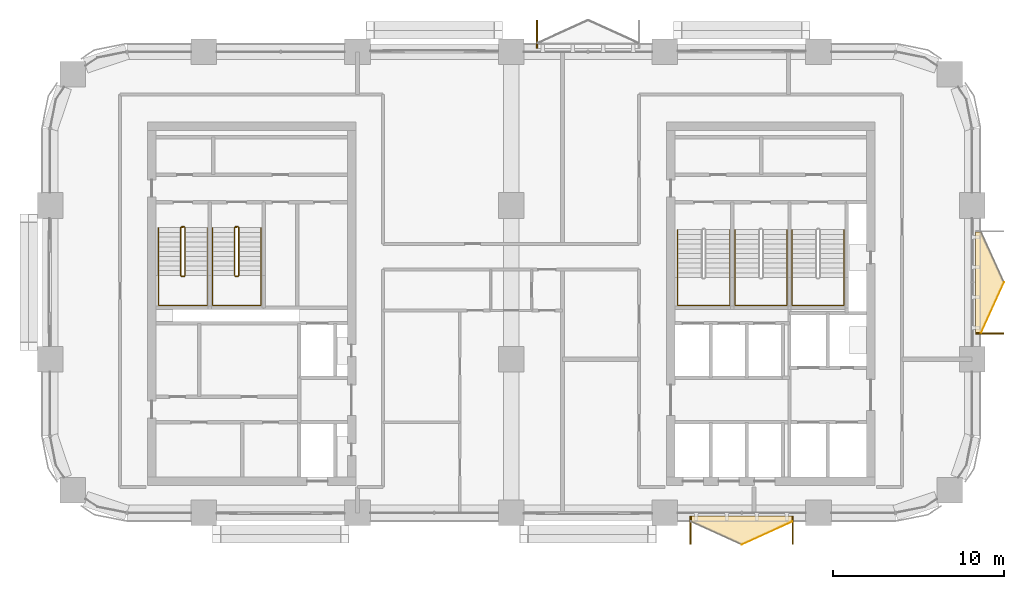
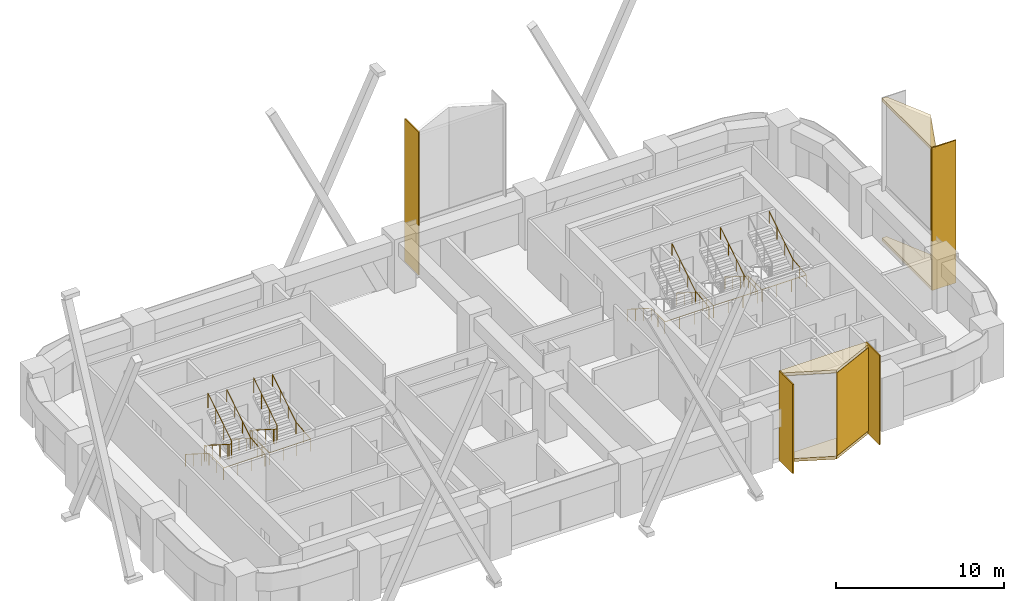
# One storey, part 13 of 14: 10 coverings, 7 railings.
"""IFC4 building model written with IfcOpenShell, lengths in metres."""

from ifc_helpers import new_model, si_unit, direction, frame, origin, origin_2d, place, context, subcontext, project, spatial, polyline, rectangle, circle, outline, extrude, material, layer, layer_set, type_object, element, save


model = new_model("IFC4")

# Units and contexts
model_context = context("Model", 3, precision=1e-05, world=origin(), true_north=direction((0.0, 1.0)))
body_context = subcontext(model_context, "Body", "Model", "MODEL_VIEW")
ifc_project = project(units=[si_unit("LENGTHUNIT", "METRE"), si_unit("AREAUNIT", "SQUARE_METRE"), si_unit("VOLUMEUNIT", "CUBIC_METRE"), si_unit("PLANEANGLEUNIT", "RADIAN"), si_unit("MASSUNIT", "GRAM", prefix="KILO")], contexts=[model_context])

# Site, building, storey
site_placement = place(None, origin())
site = spatial("IfcSite", under=ifc_project, at=site_placement, CompositionType="ELEMENT")
building_placement = place(site_placement, origin())
building = spatial("IfcBuilding", under=site, at=building_placement, Name="Tessera Arch", CompositionType="ELEMENT")
storey_placement = place(building_placement, frame((0.0, 0.0, 150.5)))
storey = spatial("IfcBuildingStorey", under=building, at=storey_placement, Name="L35", CompositionType="ELEMENT", Elevation=150.5)

# Railings
ifc_material_1 = material(Name="Painted steel balustrade", Category="steel")
railing_type_1 = type_object("IfcRailingType", Name="Stair guard 1100", PredefinedType="GUARDRAIL", material=ifc_material_1)
railing_1_placement = place(storey_placement, frame((7.699951171875, 43.75, 0.0)))
element("IfcRailing", 1, at=railing_1_placement, inside=storey, type_object=railing_type_1, Name="L35 S2a stair guard 1", PredefinedType="GUARDRAIL", context=body_context, shape_type="SweptSolid", body=[
    extrude(circle(Radius=0.02392578125, at=origin_2d()), frame((-0.00390625, 0.0, 1.076171875), z_axis=(1.0, 0.0, 0.0), x_axis=(0.0, 1.0, 0.0)), (0.0, 0.0, 1.0), 0.158203125),
    extrude(circle(Radius=0.02392578125, at=origin_2d()), frame((0.153076171875, 0.000732421875, 1.073486328125), z_axis=(-0.735936453418, -0.183984113355, 0.651573006319), x_axis=(0.242535625036, -0.970142500145, 0.0)), (0.0, 0.0, 1.0), 0.280029296875),
    extrude(circle(Radius=0.02392578125, at=origin_2d()), frame((-0.050048828125, -0.046630859375, 1.251220703125), z_axis=(0.0, -0.844908973607, 0.534910110503), x_axis=(1.0, 0.0, 0.0)), (0.0, 0.0, 1.0), 3.322021484375),
    extrude(circle(Radius=0.02392578125, at=origin_2d()), frame((-0.052978515625, -2.84716796875, 3.02587890625), z_axis=(0.708833529934, -0.705375805398, 0.0), x_axis=(0.705375805398, 0.708833529934, 0.0)), (0.0, 0.0, 1.0), 0.07861328125),
    extrude(circle(Radius=0.02392578125, at=origin_2d()), frame((-0.00390625, -2.89990234375, 3.02587890625), z_axis=(1.0, 0.0, 0.0), x_axis=(0.0, 1.0, 0.0)), (0.0, 0.0, 1.0), 0.158203125),
    extrude(circle(Radius=0.02392578125, at=origin_2d()), frame((0.149169921875, -2.90087890625, 3.022216796875), z_axis=(0.261129318932, 0.261129318932, 0.929313164433), x_axis=(-0.707106781187, 0.707106781187, 0.0)), (0.0, 0.0, 1.0), 0.19873046875),
    extrude(circle(Radius=0.02392578125, at=origin_2d()), frame((0.199951171875, -2.853515625, 3.201171875), z_axis=(0.0, 0.844908973607, 0.534910110503), x_axis=(-1.0, 0.0, 0.0)), (0.0, 0.0, 1.0), 3.322021484375),
    extrude(circle(Radius=0.02099609375, at=origin_2d()), origin(), (0.0, 0.0, 1.0), 1.06396484375),
    extrude(circle(Radius=0.02099609375, at=origin_2d()), frame((0.150146484375, 0.0, 0.0)), (0.0, 0.0, 1.0), 1.06396484375),
    extrude(circle(Radius=0.02099609375, at=origin_2d()), frame((-0.050048828125, -0.050048828125, 0.17724609375)), (0.0, 0.0, 1.0), 1.06396484375),
    extrude(circle(Radius=0.02099609375, at=origin_2d()), frame((-0.050048828125, -0.9833984375, 0.76806640625)), (0.0, 0.0, 1.0), 1.06396484375),
    extrude(circle(Radius=0.02099609375, at=origin_2d()), frame((-0.050048828125, -1.916748046875, 1.359130859375)), (0.0, 0.0, 1.0), 1.06396484375),
    extrude(circle(Radius=0.02099609375, at=origin_2d()), frame((-0.050048828125, -2.85009765625, 1.949951171875)), (0.0, 0.0, 1.0), 1.06396484375),
    extrude(circle(Radius=0.02099609375, at=origin_2d()), frame((0.0, -2.89990234375, 1.949951171875)), (0.0, 0.0, 1.0), 1.06396484375),
    extrude(circle(Radius=0.02099609375, at=origin_2d()), frame((0.150146484375, -2.89990234375, 1.949951171875)), (0.0, 0.0, 1.0), 1.06396484375),
    extrude(circle(Radius=0.02099609375, at=origin_2d()), frame((0.199951171875, -2.85009765625, 2.127197265625)), (0.0, 0.0, 1.0), 1.06396484375),
    extrude(circle(Radius=0.02099609375, at=origin_2d()), frame((0.199951171875, -1.916748046875, 2.718017578125)), (0.0, 0.0, 1.0), 1.06396484375),
    extrude(circle(Radius=0.02099609375, at=origin_2d()), frame((0.199951171875, -0.9833984375, 3.30908203125)), (0.0, 0.0, 1.0), 1.06396484375),
    extrude(circle(Radius=0.02099609375, at=origin_2d()), frame((0.199951171875, -0.050048828125, 3.89990234375)), (0.0, 0.0, 1.0), 1.06396484375),
])
railing_2_placement = place(storey_placement, frame((10.85009765625, 43.75, 0.0)))
element("IfcRailing", 2, at=railing_2_placement, inside=storey, type_object=railing_type_1, Name="L35 S2b stair guard 1", PredefinedType="GUARDRAIL", context=body_context, shape_type="SweptSolid", body=[
    extrude(circle(Radius=0.02392578125, at=origin_2d()), frame((-0.00390625, 0.0, 1.076171875), z_axis=(1.0, 0.0, 0.0), x_axis=(0.0, 1.0, 0.0)), (0.0, 0.0, 1.0), 0.157958984375),
    extrude(circle(Radius=0.02392578125, at=origin_2d()), frame((0.15283203125, 0.000732421875, 1.073486328125), z_axis=(-0.735524641326, -0.184105679453, 0.652003528208), x_axis=(0.242814311512, -0.970072785993, 0.0)), (0.0, 0.0, 1.0), 0.27978515625),
    extrude(circle(Radius=0.02392578125, at=origin_2d()), frame((-0.050048828125, -0.046630859375, 1.251220703125), z_axis=(0.0, -0.844908973607, 0.534910110503), x_axis=(1.0, 0.0, 0.0)), (0.0, 0.0, 1.0), 3.322021484375),
    extrude(circle(Radius=0.02392578125, at=origin_2d()), frame((-0.052978515625, -2.84716796875, 3.02587890625), z_axis=(0.708833529934, -0.705375805398, 0.0), x_axis=(0.705375805398, 0.708833529934, 0.0)), (0.0, 0.0, 1.0), 0.07861328125),
    extrude(circle(Radius=0.02392578125, at=origin_2d()), frame((-0.00390625, -2.89990234375, 3.02587890625), z_axis=(1.0, 0.0, 0.0), x_axis=(0.0, 1.0, 0.0)), (0.0, 0.0, 1.0), 0.157958984375),
    extrude(circle(Radius=0.02392578125, at=origin_2d()), frame((0.14892578125, -2.90087890625, 3.022216796875), z_axis=(0.262321481514, 0.261041864531, 0.929001929653), x_axis=(-0.705375805398, 0.708833529934, 0.0)), (0.0, 0.0, 1.0), 0.19873046875),
    extrude(circle(Radius=0.02392578125, at=origin_2d()), frame((0.199951171875, -2.853515625, 3.201171875), z_axis=(0.0, 0.844908973607, 0.534910110503), x_axis=(-1.0, 0.0, 0.0)), (0.0, 0.0, 1.0), 3.322021484375),
    extrude(circle(Radius=0.02099609375, at=origin_2d()), origin(), (0.0, 0.0, 1.0), 1.06396484375),
    extrude(circle(Radius=0.02099609375, at=origin_2d()), frame((0.14990234375, 0.0, 0.0)), (0.0, 0.0, 1.0), 1.06396484375),
    extrude(circle(Radius=0.02099609375, at=origin_2d()), frame((-0.050048828125, -0.050048828125, 0.17724609375)), (0.0, 0.0, 1.0), 1.06396484375),
    extrude(circle(Radius=0.02099609375, at=origin_2d()), frame((-0.050048828125, -0.9833984375, 0.76806640625)), (0.0, 0.0, 1.0), 1.06396484375),
    extrude(circle(Radius=0.02099609375, at=origin_2d()), frame((-0.050048828125, -1.916748046875, 1.359130859375)), (0.0, 0.0, 1.0), 1.06396484375),
    extrude(circle(Radius=0.02099609375, at=origin_2d()), frame((-0.050048828125, -2.85009765625, 1.949951171875)), (0.0, 0.0, 1.0), 1.06396484375),
    extrude(circle(Radius=0.02099609375, at=origin_2d()), frame((0.0, -2.89990234375, 1.949951171875)), (0.0, 0.0, 1.0), 1.06396484375),
    extrude(circle(Radius=0.02099609375, at=origin_2d()), frame((0.14990234375, -2.89990234375, 1.949951171875)), (0.0, 0.0, 1.0), 1.06396484375),
    extrude(circle(Radius=0.02099609375, at=origin_2d()), frame((0.199951171875, -2.85009765625, 2.127197265625)), (0.0, 0.0, 1.0), 1.06396484375),
    extrude(circle(Radius=0.02099609375, at=origin_2d()), frame((0.199951171875, -1.916748046875, 2.718017578125)), (0.0, 0.0, 1.0), 1.06396484375),
    extrude(circle(Radius=0.02099609375, at=origin_2d()), frame((0.199951171875, -0.9833984375, 3.30908203125)), (0.0, 0.0, 1.0), 1.06396484375),
    extrude(circle(Radius=0.02099609375, at=origin_2d()), frame((0.199951171875, -0.050048828125, 3.89990234375)), (0.0, 0.0, 1.0), 1.06396484375),
])
ifc_material_2 = material(Name="Painted steel handrail", Category="steel")
railing_type_2 = type_object("IfcRailingType", Name="Stair handrail 900", PredefinedType="HANDRAIL", material=ifc_material_2)
railing_3_placement = place(storey_placement, frame((36.75, 43.580078125, 0.17724609375)))
element("IfcRailing", 3, at=railing_3_placement, inside=storey, type_object=railing_type_2, Name="L35 S1a stair handrail", PredefinedType="HANDRAIL", context=body_context, shape_type="SweptSolid", body=[
    extrude(circle(Radius=0.02392578125, at=origin_2d()), frame((0.0, 0.00341796875, 0.873779296875), z_axis=(0.0, -0.844908973607, 0.534910110503), x_axis=(1.0, 0.0, 0.0)), (0.0, 0.0, 1.0), 3.322021484375),
    extrude(circle(Radius=0.02392578125, at=origin_2d()), frame((0.0, -2.796142578125, 2.6484375), z_axis=(0.0, -1.0, 0.0), x_axis=(1.0, 0.0, 0.0)), (0.0, 0.0, 1.0), 1.63818359375),
    extrude(circle(Radius=0.02392578125, at=origin_2d()), frame((-0.00390625, -4.43017578125, 2.6484375), z_axis=(1.0, 0.0, 0.0), x_axis=(0.0, 1.0, 0.0)), (0.0, 0.0, 1.0), 3.05810546875),
    extrude(circle(Radius=0.02392578125, at=origin_2d()), frame((3.050048828125, -4.43408203125, 2.648193359375), z_axis=(0.0, 0.994140637614, 0.108094369164), x_axis=(-1.0, 0.0, 0.0)), (0.0, 0.0, 1.0), 1.647705078125),
    extrude(circle(Radius=0.02392578125, at=origin_2d()), frame((3.050048828125, -2.803466796875, 2.82373046875), z_axis=(0.0, 0.844908973607, 0.534910110503), x_axis=(-1.0, 0.0, 0.0)), (0.0, 0.0, 1.0), 3.322021484375),
    extrude(circle(Radius=0.02099609375, at=origin_2d()), origin(), (0.0, 0.0, 1.0), 0.86376953125),
    extrude(circle(Radius=0.02099609375, at=origin_2d()), frame((0.0, -0.933349609375, 0.5908203125)), (0.0, 0.0, 1.0), 0.86376953125),
    extrude(circle(Radius=0.02099609375, at=origin_2d()), frame((0.0, -1.86669921875, 1.181884765625)), (0.0, 0.0, 1.0), 0.86376953125),
    extrude(circle(Radius=0.02099609375, at=origin_2d()), frame((0.0, -2.800048828125, 1.772705078125)), (0.0, 0.0, 1.0), 0.86376953125),
    extrude(circle(Radius=0.02099609375, at=origin_2d()), frame((0.0, -3.615234375, 1.772705078125)), (0.0, 0.0, 1.0), 0.86376953125),
    extrude(circle(Radius=0.02099609375, at=origin_2d()), frame((0.0, -4.43017578125, 1.772705078125)), (0.0, 0.0, 1.0), 0.86376953125),
    extrude(circle(Radius=0.02099609375, at=origin_2d()), frame((1.0166015625, -4.43017578125, 1.772705078125)), (0.0, 0.0, 1.0), 0.86376953125),
    extrude(circle(Radius=0.02099609375, at=origin_2d()), frame((2.033447265625, -4.43017578125, 1.772705078125)), (0.0, 0.0, 1.0), 0.86376953125),
    extrude(circle(Radius=0.02099609375, at=origin_2d()), frame((3.050048828125, -4.43017578125, 1.772705078125)), (0.0, 0.0, 1.0), 0.86376953125),
    extrude(circle(Radius=0.02099609375, at=origin_2d()), frame((3.050048828125, -3.615234375, 1.861328125)), (0.0, 0.0, 1.0), 0.86376953125),
    extrude(circle(Radius=0.02099609375, at=origin_2d()), frame((3.050048828125, -2.800048828125, 1.949951171875)), (0.0, 0.0, 1.0), 0.86376953125),
    extrude(circle(Radius=0.02099609375, at=origin_2d()), frame((3.050048828125, -1.86669921875, 2.540771484375)), (0.0, 0.0, 1.0), 0.86376953125),
    extrude(circle(Radius=0.02099609375, at=origin_2d()), frame((3.050048828125, -0.933349609375, 3.1318359375)), (0.0, 0.0, 1.0), 0.86376953125),
    extrude(circle(Radius=0.02099609375, at=origin_2d()), frame((3.050048828125, 0.0, 3.72265625)), (0.0, 0.0, 1.0), 0.86376953125),
])
railing_4_placement = place(storey_placement, frame((40.10009765625, 43.580078125, 0.17724609375)))
element("IfcRailing", 4, at=railing_4_placement, inside=storey, type_object=railing_type_2, Name="L35 S1b stair handrail", PredefinedType="HANDRAIL", context=body_context, shape_type="SweptSolid", body=[
    extrude(circle(Radius=0.02392578125, at=origin_2d()), frame((0.0, 0.00341796875, 0.873779296875), z_axis=(0.0, -0.844908973607, 0.534910110503), x_axis=(1.0, 0.0, 0.0)), (0.0, 0.0, 1.0), 3.322021484375),
    extrude(circle(Radius=0.02392578125, at=origin_2d()), frame((0.0, -2.796142578125, 2.6484375), z_axis=(0.0, -1.0, 0.0), x_axis=(1.0, 0.0, 0.0)), (0.0, 0.0, 1.0), 1.63818359375),
    extrude(circle(Radius=0.02392578125, at=origin_2d()), frame((-0.00390625, -4.43017578125, 2.6484375), z_axis=(1.0, 0.0, 0.0), x_axis=(0.0, 1.0, 0.0)), (0.0, 0.0, 1.0), 3.057861328125),
    extrude(circle(Radius=0.02392578125, at=origin_2d()), frame((3.0498046875, -4.43408203125, 2.648193359375), z_axis=(0.0, 0.994140637614, 0.108094369164), x_axis=(-1.0, 0.0, 0.0)), (0.0, 0.0, 1.0), 1.647705078125),
    extrude(circle(Radius=0.02392578125, at=origin_2d()), frame((3.0498046875, -2.803466796875, 2.82373046875), z_axis=(0.0, 0.844908973607, 0.534910110503), x_axis=(-1.0, 0.0, 0.0)), (0.0, 0.0, 1.0), 3.322021484375),
    extrude(circle(Radius=0.02099609375, at=origin_2d()), origin(), (0.0, 0.0, 1.0), 0.86376953125),
    extrude(circle(Radius=0.02099609375, at=origin_2d()), frame((0.0, -0.933349609375, 0.5908203125)), (0.0, 0.0, 1.0), 0.86376953125),
    extrude(circle(Radius=0.02099609375, at=origin_2d()), frame((0.0, -1.86669921875, 1.181884765625)), (0.0, 0.0, 1.0), 0.86376953125),
    extrude(circle(Radius=0.02099609375, at=origin_2d()), frame((0.0, -2.800048828125, 1.772705078125)), (0.0, 0.0, 1.0), 0.86376953125),
    extrude(circle(Radius=0.02099609375, at=origin_2d()), frame((0.0, -3.615234375, 1.772705078125)), (0.0, 0.0, 1.0), 0.86376953125),
    extrude(circle(Radius=0.02099609375, at=origin_2d()), frame((0.0, -4.43017578125, 1.772705078125)), (0.0, 0.0, 1.0), 0.86376953125),
    extrude(circle(Radius=0.02099609375, at=origin_2d()), frame((1.0166015625, -4.43017578125, 1.772705078125)), (0.0, 0.0, 1.0), 0.86376953125),
    extrude(circle(Radius=0.02099609375, at=origin_2d()), frame((2.033203125, -4.43017578125, 1.772705078125)), (0.0, 0.0, 1.0), 0.86376953125),
    extrude(circle(Radius=0.02099609375, at=origin_2d()), frame((3.0498046875, -4.43017578125, 1.772705078125)), (0.0, 0.0, 1.0), 0.86376953125),
    extrude(circle(Radius=0.02099609375, at=origin_2d()), frame((3.0498046875, -3.615234375, 1.861328125)), (0.0, 0.0, 1.0), 0.86376953125),
    extrude(circle(Radius=0.02099609375, at=origin_2d()), frame((3.0498046875, -2.800048828125, 1.949951171875)), (0.0, 0.0, 1.0), 0.86376953125),
    extrude(circle(Radius=0.02099609375, at=origin_2d()), frame((3.0498046875, -1.86669921875, 2.540771484375)), (0.0, 0.0, 1.0), 0.86376953125),
    extrude(circle(Radius=0.02099609375, at=origin_2d()), frame((3.0498046875, -0.933349609375, 3.1318359375)), (0.0, 0.0, 1.0), 0.86376953125),
    extrude(circle(Radius=0.02099609375, at=origin_2d()), frame((3.0498046875, 0.0, 3.72265625)), (0.0, 0.0, 1.0), 0.86376953125),
])
railing_5_placement = place(storey_placement, frame((43.449951171875, 43.580078125, 0.17724609375)))
element("IfcRailing", 5, at=railing_5_placement, inside=storey, type_object=railing_type_2, Name="L35 S1c stair handrail", PredefinedType="HANDRAIL", context=body_context, shape_type="SweptSolid", body=[
    extrude(circle(Radius=0.02392578125, at=origin_2d()), frame((0.0, 0.00341796875, 0.873779296875), z_axis=(0.0, -0.844908973607, 0.534910110503), x_axis=(1.0, 0.0, 0.0)), (0.0, 0.0, 1.0), 3.322021484375),
    extrude(circle(Radius=0.02392578125, at=origin_2d()), frame((0.0, -2.796142578125, 2.6484375), z_axis=(0.0, -1.0, 0.0), x_axis=(1.0, 0.0, 0.0)), (0.0, 0.0, 1.0), 1.63818359375),
    extrude(circle(Radius=0.02392578125, at=origin_2d()), frame((-0.00390625, -4.43017578125, 2.6484375), z_axis=(1.0, 0.0, 0.0), x_axis=(0.0, 1.0, 0.0)), (0.0, 0.0, 1.0), 3.05810546875),
    extrude(circle(Radius=0.02392578125, at=origin_2d()), frame((3.050048828125, -4.43408203125, 2.648193359375), z_axis=(0.0, 0.994140637614, 0.108094369164), x_axis=(-1.0, 0.0, 0.0)), (0.0, 0.0, 1.0), 1.647705078125),
    extrude(circle(Radius=0.02392578125, at=origin_2d()), frame((3.050048828125, -2.803466796875, 2.82373046875), z_axis=(0.0, 0.844908973607, 0.534910110503), x_axis=(-1.0, 0.0, 0.0)), (0.0, 0.0, 1.0), 3.322021484375),
    extrude(circle(Radius=0.02099609375, at=origin_2d()), origin(), (0.0, 0.0, 1.0), 0.86376953125),
    extrude(circle(Radius=0.02099609375, at=origin_2d()), frame((0.0, -0.933349609375, 0.5908203125)), (0.0, 0.0, 1.0), 0.86376953125),
    extrude(circle(Radius=0.02099609375, at=origin_2d()), frame((0.0, -1.86669921875, 1.181884765625)), (0.0, 0.0, 1.0), 0.86376953125),
    extrude(circle(Radius=0.02099609375, at=origin_2d()), frame((0.0, -2.800048828125, 1.772705078125)), (0.0, 0.0, 1.0), 0.86376953125),
    extrude(circle(Radius=0.02099609375, at=origin_2d()), frame((0.0, -3.615234375, 1.772705078125)), (0.0, 0.0, 1.0), 0.86376953125),
    extrude(circle(Radius=0.02099609375, at=origin_2d()), frame((0.0, -4.43017578125, 1.772705078125)), (0.0, 0.0, 1.0), 0.86376953125),
    extrude(circle(Radius=0.02099609375, at=origin_2d()), frame((1.0166015625, -4.43017578125, 1.772705078125)), (0.0, 0.0, 1.0), 0.86376953125),
    extrude(circle(Radius=0.02099609375, at=origin_2d()), frame((2.033447265625, -4.43017578125, 1.772705078125)), (0.0, 0.0, 1.0), 0.86376953125),
    extrude(circle(Radius=0.02099609375, at=origin_2d()), frame((3.050048828125, -4.43017578125, 1.772705078125)), (0.0, 0.0, 1.0), 0.86376953125),
    extrude(circle(Radius=0.02099609375, at=origin_2d()), frame((3.050048828125, -3.615234375, 1.861328125)), (0.0, 0.0, 1.0), 0.86376953125),
    extrude(circle(Radius=0.02099609375, at=origin_2d()), frame((3.050048828125, -2.800048828125, 1.949951171875)), (0.0, 0.0, 1.0), 0.86376953125),
    extrude(circle(Radius=0.02099609375, at=origin_2d()), frame((3.050048828125, -1.86669921875, 2.540771484375)), (0.0, 0.0, 1.0), 0.86376953125),
    extrude(circle(Radius=0.02099609375, at=origin_2d()), frame((3.050048828125, -0.933349609375, 3.1318359375)), (0.0, 0.0, 1.0), 0.86376953125),
    extrude(circle(Radius=0.02099609375, at=origin_2d()), frame((3.050048828125, 0.0, 3.72265625)), (0.0, 0.0, 1.0), 0.86376953125),
])
railing_6_placement = place(storey_placement, frame((6.35009765625, 43.699951171875, 0.17724609375)))
element("IfcRailing", 6, at=railing_6_placement, inside=storey, type_object=railing_type_2, Name="L35 S2a stair handrail", PredefinedType="HANDRAIL", context=body_context, shape_type="SweptSolid", body=[
    extrude(circle(Radius=0.02392578125, at=origin_2d()), frame((0.0, 0.00341796875, 0.873779296875), z_axis=(0.0, -0.844908973607, 0.534910110503), x_axis=(1.0, 0.0, 0.0)), (0.0, 0.0, 1.0), 3.322021484375),
    extrude(circle(Radius=0.02392578125, at=origin_2d()), frame((0.0, -2.796142578125, 2.6484375), z_axis=(0.0, -1.0, 0.0), x_axis=(1.0, 0.0, 0.0)), (0.0, 0.0, 1.0), 1.758056640625),
    extrude(circle(Radius=0.02392578125, at=origin_2d()), frame((-0.00390625, -4.550048828125, 2.6484375), z_axis=(1.0, 0.0, 0.0), x_axis=(0.0, 1.0, 0.0)), (0.0, 0.0, 1.0), 2.85791015625),
    extrude(circle(Radius=0.02392578125, at=origin_2d()), frame((2.849853515625, -4.553955078125, 2.648193359375), z_axis=(0.0, 0.994909956378, 0.100767944801), x_axis=(-1.0, 0.0, 0.0)), (0.0, 0.0, 1.0), 1.766845703125),
    extrude(circle(Radius=0.02392578125, at=origin_2d()), frame((2.849853515625, -2.803466796875, 2.82373046875), z_axis=(0.0, 0.844908973607, 0.534910110503), x_axis=(-1.0, 0.0, 0.0)), (0.0, 0.0, 1.0), 3.322021484375),
    extrude(circle(Radius=0.02099609375, at=origin_2d()), origin(), (0.0, 0.0, 1.0), 0.86376953125),
    extrude(circle(Radius=0.02099609375, at=origin_2d()), frame((0.0, -0.933349609375, 0.5908203125)), (0.0, 0.0, 1.0), 0.86376953125),
    extrude(circle(Radius=0.02099609375, at=origin_2d()), frame((0.0, -1.86669921875, 1.181884765625)), (0.0, 0.0, 1.0), 0.86376953125),
    extrude(circle(Radius=0.02099609375, at=origin_2d()), frame((0.0, -2.800048828125, 1.772705078125)), (0.0, 0.0, 1.0), 0.86376953125),
    extrude(circle(Radius=0.02099609375, at=origin_2d()), frame((0.0, -3.675048828125, 1.772705078125)), (0.0, 0.0, 1.0), 0.86376953125),
    extrude(circle(Radius=0.02099609375, at=origin_2d()), frame((0.0, -4.550048828125, 1.772705078125)), (0.0, 0.0, 1.0), 0.86376953125),
    extrude(circle(Radius=0.02099609375, at=origin_2d()), frame((0.949951171875, -4.550048828125, 1.772705078125)), (0.0, 0.0, 1.0), 0.86376953125),
    extrude(circle(Radius=0.02099609375, at=origin_2d()), frame((1.89990234375, -4.550048828125, 1.772705078125)), (0.0, 0.0, 1.0), 0.86376953125),
    extrude(circle(Radius=0.02099609375, at=origin_2d()), frame((2.849853515625, -4.550048828125, 1.772705078125)), (0.0, 0.0, 1.0), 0.86376953125),
    extrude(circle(Radius=0.02099609375, at=origin_2d()), frame((2.849853515625, -3.675048828125, 1.861328125)), (0.0, 0.0, 1.0), 0.86376953125),
    extrude(circle(Radius=0.02099609375, at=origin_2d()), frame((2.849853515625, -2.800048828125, 1.949951171875)), (0.0, 0.0, 1.0), 0.86376953125),
    extrude(circle(Radius=0.02099609375, at=origin_2d()), frame((2.849853515625, -1.86669921875, 2.540771484375)), (0.0, 0.0, 1.0), 0.86376953125),
    extrude(circle(Radius=0.02099609375, at=origin_2d()), frame((2.849853515625, -0.933349609375, 3.1318359375)), (0.0, 0.0, 1.0), 0.86376953125),
    extrude(circle(Radius=0.02099609375, at=origin_2d()), frame((2.849853515625, 0.0, 3.72265625)), (0.0, 0.0, 1.0), 0.86376953125),
])
railing_7_placement = place(storey_placement, frame((9.5, 43.699951171875, 0.17724609375)))
element("IfcRailing", 7, at=railing_7_placement, inside=storey, type_object=railing_type_2, Name="L35 S2b stair handrail", PredefinedType="HANDRAIL", context=body_context, shape_type="SweptSolid", body=[
    extrude(circle(Radius=0.02392578125, at=origin_2d()), frame((0.0, 0.00341796875, 0.873779296875), z_axis=(0.0, -0.844908973607, 0.534910110503), x_axis=(1.0, 0.0, 0.0)), (0.0, 0.0, 1.0), 3.322021484375),
    extrude(circle(Radius=0.02392578125, at=origin_2d()), frame((0.0, -2.796142578125, 2.6484375), z_axis=(0.0, -1.0, 0.0), x_axis=(1.0, 0.0, 0.0)), (0.0, 0.0, 1.0), 1.758056640625),
    extrude(circle(Radius=0.02392578125, at=origin_2d()), frame((-0.00390625, -4.550048828125, 2.6484375), z_axis=(1.0, 0.0, 0.0), x_axis=(0.0, 1.0, 0.0)), (0.0, 0.0, 1.0), 2.858154296875),
    extrude(circle(Radius=0.02392578125, at=origin_2d()), frame((2.85009765625, -4.553955078125, 2.648193359375), z_axis=(0.0, 0.994909956378, 0.100767944801), x_axis=(-1.0, 0.0, 0.0)), (0.0, 0.0, 1.0), 1.766845703125),
    extrude(circle(Radius=0.02392578125, at=origin_2d()), frame((2.85009765625, -2.803466796875, 2.82373046875), z_axis=(0.0, 0.844908973607, 0.534910110503), x_axis=(-1.0, 0.0, 0.0)), (0.0, 0.0, 1.0), 3.322021484375),
    extrude(circle(Radius=0.02099609375, at=origin_2d()), origin(), (0.0, 0.0, 1.0), 0.86376953125),
    extrude(circle(Radius=0.02099609375, at=origin_2d()), frame((0.0, -0.933349609375, 0.5908203125)), (0.0, 0.0, 1.0), 0.86376953125),
    extrude(circle(Radius=0.02099609375, at=origin_2d()), frame((0.0, -1.86669921875, 1.181884765625)), (0.0, 0.0, 1.0), 0.86376953125),
    extrude(circle(Radius=0.02099609375, at=origin_2d()), frame((0.0, -2.800048828125, 1.772705078125)), (0.0, 0.0, 1.0), 0.86376953125),
    extrude(circle(Radius=0.02099609375, at=origin_2d()), frame((0.0, -3.675048828125, 1.772705078125)), (0.0, 0.0, 1.0), 0.86376953125),
    extrude(circle(Radius=0.02099609375, at=origin_2d()), frame((0.0, -4.550048828125, 1.772705078125)), (0.0, 0.0, 1.0), 0.86376953125),
    extrude(circle(Radius=0.02099609375, at=origin_2d()), frame((0.949951171875, -4.550048828125, 1.772705078125)), (0.0, 0.0, 1.0), 0.86376953125),
    extrude(circle(Radius=0.02099609375, at=origin_2d()), frame((1.900146484375, -4.550048828125, 1.772705078125)), (0.0, 0.0, 1.0), 0.86376953125),
    extrude(circle(Radius=0.02099609375, at=origin_2d()), frame((2.85009765625, -4.550048828125, 1.772705078125)), (0.0, 0.0, 1.0), 0.86376953125),
    extrude(circle(Radius=0.02099609375, at=origin_2d()), frame((2.85009765625, -3.675048828125, 1.861328125)), (0.0, 0.0, 1.0), 0.86376953125),
    extrude(circle(Radius=0.02099609375, at=origin_2d()), frame((2.85009765625, -2.800048828125, 1.949951171875)), (0.0, 0.0, 1.0), 0.86376953125),
    extrude(circle(Radius=0.02099609375, at=origin_2d()), frame((2.85009765625, -1.86669921875, 2.540771484375)), (0.0, 0.0, 1.0), 0.86376953125),
    extrude(circle(Radius=0.02099609375, at=origin_2d()), frame((2.85009765625, -0.933349609375, 3.1318359375)), (0.0, 0.0, 1.0), 0.86376953125),
    extrude(circle(Radius=0.02099609375, at=origin_2d()), frame((2.85009765625, 0.0, 3.72265625)), (0.0, 0.0, 1.0), 0.86376953125),
])

# Coverings
ifc_material_3 = material(Name="Anodised aluminium pale metal", Category="aluminium")
ifc_layer_1 = layer(ifc_material_3, 0.080078125)
ifc_layer_set_1 = layer_set([ifc_layer_1], Name="Window box cheek")
covering_type_1 = type_object("IfcCoveringType", Name="Window box cheek", PredefinedType="CLADDING", material=ifc_layer_set_1)
covering_1_placement = place(storey_placement, origin())
element("IfcCovering", 8, at=covering_1_placement, inside=storey, type_object=covering_type_1, Name="Window box E54.27/0.0 2x3 cheek", PredefinedType="CLADDING", context=body_context, shape_type="SweptSolid", body=[
    extrude(outline(polyline([(55.85009765625, 37.469970703125), (55.85009765625, 37.550048828125), (54.199951171875, 37.550048828125), (54.199951171875, 37.469970703125), (55.85009765625, 37.469970703125)])), origin(), (0.0, 0.0, 1.0), 10.39990234375),
])
covering_2_placement = place(storey_placement, origin())
element("IfcCovering", 9, at=covering_2_placement, inside=storey, type_object=covering_type_1, Name="Window box N54.0/2.0 2x3 cheek", PredefinedType="CLADDING", context=body_context, shape_type="SweptSolid", body=[
    extrude(outline(polyline([(28.550048828125, 55.85009765625), (28.469970703125, 55.85009765625), (28.469970703125, 54.199951171875), (28.550048828125, 54.199951171875), (28.550048828125, 55.85009765625)])), origin(), (0.0, 0.0, 1.0), 10.39990234375),
])
covering_3_placement = place(storey_placement, origin())
element("IfcCovering", 10, at=covering_3_placement, inside=storey, type_object=covering_type_1, Name="Window box S27.0/4.0 2x2 cheek", PredefinedType="CLADDING", context=body_context, shape_type="SweptSolid", body=[
    extrude(outline(polyline([(37.469970703125, 25.14990234375), (37.550048828125, 25.14990234375), (37.550048828125, 26.800048828125), (37.469970703125, 26.800048828125), (37.469970703125, 25.14990234375)])), origin(), (0.0, 0.0, 1.0), 6.5),
])
covering_4_placement = place(storey_placement, origin())
element("IfcCovering", 11, at=covering_4_placement, inside=storey, type_object=covering_type_1, Name="Window box S27.0/4.0 2x2 cheek", PredefinedType="CLADDING", context=body_context, shape_type="SweptSolid", body=[
    extrude(outline(polyline([(43.449951171875, 25.14990234375), (43.530029296875, 25.14990234375), (43.530029296875, 26.800048828125), (43.449951171875, 26.800048828125), (43.449951171875, 25.14990234375)])), origin(), (0.0, 0.0, 1.0), 6.5),
])
ifc_material_4 = material(Name="Anodised aluminium pale metal", Category="aluminium")
ifc_layer_2 = layer(ifc_material_4, 0.219970703125)
ifc_layer_set_2 = layer_set([ifc_layer_2], Name="Window box frame plate pale metal")
covering_type_2 = type_object("IfcCoveringType", Name="Window box frame plate pale metal", PredefinedType="CLADDING", material=ifc_layer_set_2)
for number, where, name in (
    (12, (0.0, 0.0, 0.0), "Window box E54.27/0.0 2x3 floor"),
    (13, (0.0, 0.0, 10.179931640625), "Window box E54.27/0.0 2x3 roof"),
):
    element("IfcCovering", number, at=place(storey_placement, frame(where)), inside=storey, type_object=covering_type_2, Name=name, PredefinedType="CLADDING", context=body_context, shape_type="SweptSolid", body=[
        extrude(outline(polyline([(54.510009765625, 37.550048828125), (55.85009765625, 40.5), (54.510009765625, 43.449951171875), (54.199951171875, 43.449951171875), (54.199951171875, 37.550048828125), (54.510009765625, 37.550048828125)])), origin(), (0.0, 0.0, 1.0), 0.219970703125),
    ])
ifc_material_5 = material(Name="Anodised aluminium turquoise", Category="aluminium")
ifc_layer_3 = layer(ifc_material_5, 0.219970703125)
ifc_layer_set_3 = layer_set([ifc_layer_3], Name="Window box frame plate turquoise")
covering_type_3 = type_object("IfcCoveringType", Name="Window box frame plate turquoise", PredefinedType="CLADDING", material=ifc_layer_set_3)
for number, where, name in (
    (14, (0.0, 0.0, 0.0), "Window box S27.0/4.0 2x2 floor"),
    (15, (0.0, 0.0, 6.280029296875), "Window box S27.0/4.0 2x2 roof"),
):
    element("IfcCovering", number, at=place(storey_placement, frame(where)), inside=storey, type_object=covering_type_3, Name=name, PredefinedType="CLADDING", context=body_context, shape_type="SweptSolid", body=[
        extrude(outline(polyline([(37.550048828125, 26.489990234375), (40.5, 25.14990234375), (43.449951171875, 26.489990234375), (43.449951171875, 26.800048828125), (37.550048828125, 26.800048828125), (37.550048828125, 26.489990234375)])), origin(), (0.0, 0.0, 1.0), 0.219970703125),
    ])
ifc_material_6 = material(Name="Anodised aluminium pale metal", Category="aluminium")
ifc_layer_4 = layer(ifc_material_6, 0.028076171875)
ifc_layer_set_4 = layer_set([ifc_layer_4], Name="Window box side panel")
covering_type_4 = type_object("IfcCoveringType", Name="Window box side panel", PredefinedType="CLADDING", material=ifc_layer_set_4)
covering_5_placement = place(storey_placement, frame((55.179931640625, 39.02490234375, 0.219970703125), z_axis=(0.0, 0.0, 1.0), x_axis=(0.413570397858, 0.910472144558, 0.0)))
element("IfcCovering", 16, at=covering_5_placement, inside=storey, type_object=covering_type_4, Name="Window box E54.27/0.0 2x3 side panel", PredefinedType="CLADDING", context=body_context, shape_type="SweptSolid", body=[
    extrude(rectangle(XDim=3.239990234375, YDim=0.028076171875, at=origin_2d()), origin(), (0.0, 0.0, 1.0), 9.9599609375),
])
covering_6_placement = place(storey_placement, frame((41.97509765625, 25.820068359375, 0.219970703125), z_axis=(0.0, 0.0, 1.0), x_axis=(-0.910472144558, -0.413570397858, 0.0)))
element("IfcCovering", 17, at=covering_6_placement, inside=storey, type_object=covering_type_4, Name="Window box S27.0/4.0 2x2 side panel", PredefinedType="CLADDING", context=body_context, shape_type="SweptSolid", body=[
    extrude(rectangle(XDim=3.239990234375, YDim=0.028076171875, at=origin_2d()), origin(), (0.0, 0.0, 1.0), 6.06005859375),
])

save(model, "model.ifc")
